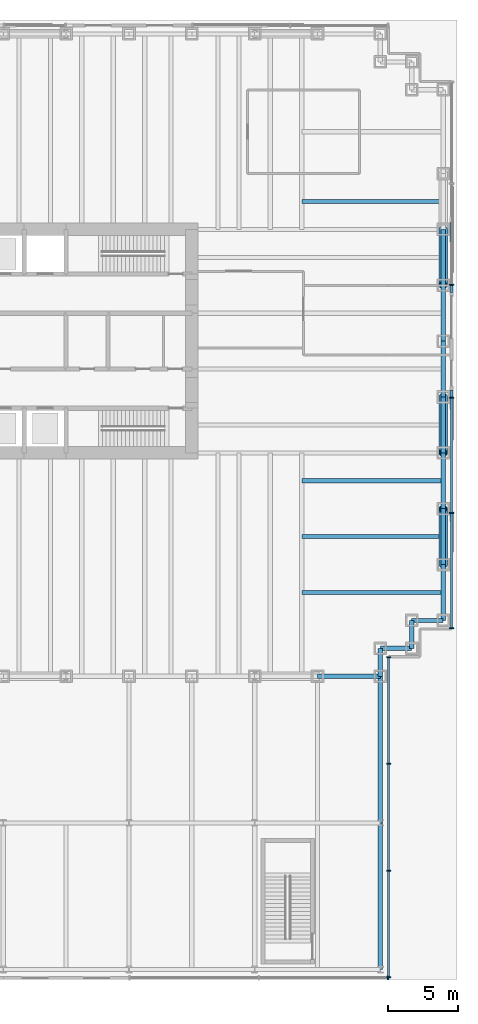
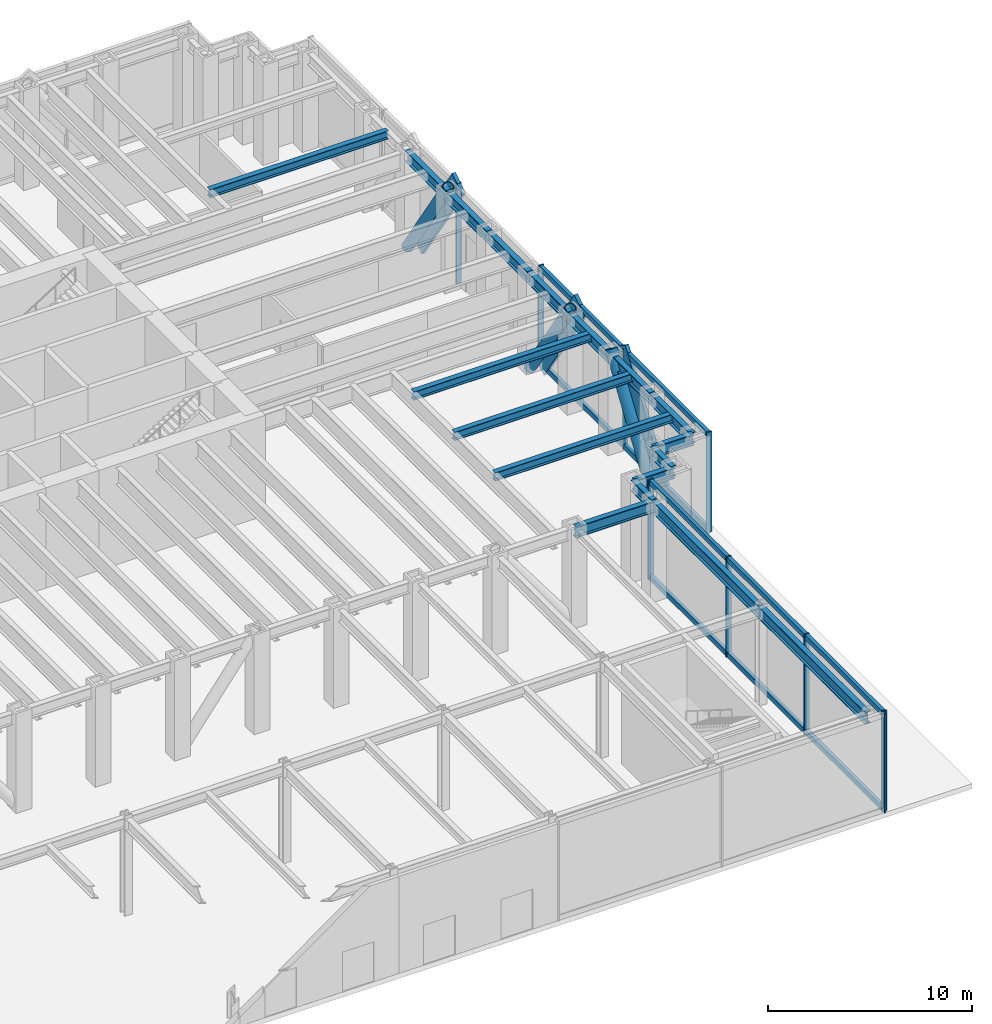
# One storey, part 6 of 17: 25 members, 18 beams, 4 elements without a shape of their own.
"""IFC4 building model written with IfcOpenShell, lengths in metres."""

import ifcopenshell
import ifcopenshell.guid

model = None  # the IFC model being written
_history = None  # IfcOwnerHistory: only IFC2X3 demands one
_inside = {}  # id of a spatial element -> (the spatial element, [elements in it])
_under = {}  # id of a project, library or spatial element -> (it, [spatial elements below it])
_declared = {}  # id of a project -> (the project, [libraries it declares])
_typed = {}  # id of a type object -> (the type object, [elements of that type])
_made_of = {}  # id of a material, layer set ... -> (it, [elements and type objects made of it])


def new_model(schema):
    """Start an empty IFC model of exactly this schema.

    Asked for "IFC4X3", IfcOpenShell would pick the latest addendum, in which some entities
    have other attributes; the version numbers below select the first issue.
    IFC2X3 requires an IfcOwnerHistory on every rooted entity: one is made here for all.
    """
    global model, _history
    if schema == "IFC4X3":
        model = ifcopenshell.file(schema_version=(4, 3, 0, 0))
    else:
        model = ifcopenshell.file(schema=schema)
    _inside.clear()
    _under.clear()
    _declared.clear()
    _typed.clear()
    _made_of.clear()
    _history = None
    if model.schema == "IFC2X3":
        org = make("IfcOrganization", Name="unknown")
        user = make(
            "IfcPersonAndOrganization",
            ThePerson=make("IfcPerson", FamilyName="unknown"),
            TheOrganization=org,
        )
        app = make(
            "IfcApplication",
            ApplicationDeveloper=org,
            Version="unknown",
            ApplicationFullName="unknown",
            ApplicationIdentifier="unknown",
        )
        _history = make(
            "IfcOwnerHistory",
            OwningUser=user,
            OwningApplication=app,
            ChangeAction="ADDED",
            CreationDate=0,
        )
    return model


def make(cls, **values):
    """One entity of the class cls with the attributes given. An attribute that is None is left unset."""
    return model.create_entity(
        cls, **{name: value for name, value in values.items() if value is not None}
    )


def rooted(cls, **values):
    """An entity with a GlobalId (a new one), such as an element, a storey or a relation."""
    return make(cls, GlobalId=ifcopenshell.guid.new(), OwnerHistory=_history, **values)


def si_unit(unit_type, name, prefix=None):
    """IfcSIUnit, for example si_unit("LENGTHUNIT", "METRE", prefix="MILLI")."""
    return make("IfcSIUnit", UnitType=unit_type, Prefix=prefix, Name=name)


def assignment(units):
    """IfcUnitAssignment: the units of a project."""
    return None if units is None else make("IfcUnitAssignment", Units=units)


def point(xyz):
    """IfcCartesianPoint."""
    return None if xyz is None else make("IfcCartesianPoint", Coordinates=xyz)


def direction(xyz):
    """IfcDirection."""
    return None if xyz is None else make("IfcDirection", DirectionRatios=xyz)


def frame(location, z_axis=None, x_axis=None):
    """IfcAxis2Placement3D, a coordinate frame: its origin and axes. An axis left out is left unset."""
    return make(
        "IfcAxis2Placement3D",
        Location=point(location),
        Axis=direction(z_axis),
        RefDirection=direction(x_axis),
    )


def frame_2d(location, x_axis=None):
    """IfcAxis2Placement2D, a coordinate frame in the plane: its origin and x axis."""
    return make(
        "IfcAxis2Placement2D", Location=point(location), RefDirection=direction(x_axis)
    )


def origin():
    """The frame at (0, 0, 0) with its axes left unset."""
    return frame((0.0, 0.0, 0.0))


def origin_2d():
    """The frame at (0, 0) in the plane with its x axis left unset."""
    return frame_2d((0.0, 0.0))


def place(relative_to, where):
    """IfcLocalPlacement: puts the frame where relative to a parent placement (None: the world)."""
    return make(
        "IfcLocalPlacement", PlacementRelTo=relative_to, RelativePlacement=where
    )


def context(
    kind, dimensions, precision=None, world=None, true_north=None, identifier=None
):
    """IfcGeometricRepresentationContext, for example the 3D "Model" context."""
    return make(
        "IfcGeometricRepresentationContext",
        ContextIdentifier=identifier,
        ContextType=kind,
        CoordinateSpaceDimension=dimensions,
        Precision=precision,
        WorldCoordinateSystem=world,
        TrueNorth=true_north,
    )


def subcontext(parent, identifier, kind, view, scale=None):
    """IfcGeometricRepresentationSubContext, for example "Body" below "Model"."""
    return make(
        "IfcGeometricRepresentationSubContext",
        ContextIdentifier=identifier,
        ContextType=kind,
        ParentContext=parent,
        TargetScale=scale,
        TargetView=view,
    )


def project(units=None, contexts=None):
    """IfcProject with its units and contexts."""
    return rooted(
        "IfcProject",
        Name="project",
        RepresentationContexts=contexts,
        UnitsInContext=assignment(units),
    )


def spatial(cls, under=None, at=None, **own):
    """A site, building, storey or space (cls), placed at a placement, below another one or the project."""
    s = rooted(cls, ObjectPlacement=at, **own)
    if under is not None:
        _under.setdefault(under.id(), (under, []))[1].append(s)
    return s


def profile(cls, at=None, kind="AREA", **sizes):
    """A parametric profile (cls). Its sizes go by their IFC names, for example OverallWidth=200.0."""
    return make(cls, ProfileType=kind, Position=at, **sizes)


def rectangle(**sizes):
    """IfcRectangleProfileDef."""
    return profile("IfcRectangleProfileDef", **sizes)


def hollow_circle(**sizes):
    """IfcCircleHollowProfileDef."""
    return profile("IfcCircleHollowProfileDef", **sizes)


def i_section(**sizes):
    """IfcIShapeProfileDef."""
    return profile("IfcIShapeProfileDef", **sizes)


def extrude(swept, where, along, depth):
    """IfcExtrudedAreaSolid: the profile swept, set in the frame where, extruded along a direction by depth."""
    return make(
        "IfcExtrudedAreaSolid",
        SweptArea=swept,
        Position=where,
        ExtrudedDirection=direction(along),
        Depth=depth,
    )


def shape(context_of_items, identifier, shape_type, items):
    """IfcShapeRepresentation: the items that make up one representation, for example the "Body"."""
    return make(
        "IfcShapeRepresentation",
        ContextOfItems=context_of_items,
        RepresentationIdentifier=identifier,
        RepresentationType=shape_type,
        Items=items,
    )


def material(Name=None, Category=None):
    """IfcMaterial."""
    return make("IfcMaterial", Name=Name, Category=Category)


def material_profile(
    of_material, cross_section, Name=None, Category=None, Priority=None
):
    """IfcMaterialProfile: a cross section and its material."""
    return make(
        "IfcMaterialProfile",
        Name=Name,
        Material=of_material,
        Profile=cross_section,
        Priority=Priority,
        Category=Category,
    )


def profile_set(profiles, Name=None, composite=None):
    """IfcMaterialProfileSet."""
    return make(
        "IfcMaterialProfileSet",
        Name=Name,
        MaterialProfiles=profiles,
        CompositeProfile=composite,
    )


def made_of(thing, what):
    """Note that an element or type object is made of a material, layer set ...; save() writes the relation."""
    if what is not None:
        _made_of.setdefault(what.id(), (what, []))[1].append(thing)
    return thing


def type_object(cls, material=None, **own):
    """A type object (cls), such as IfcWallType, which elements share."""
    return made_of(rooted(cls, **own), material)


def element(
    cls,
    number,
    at=None,
    inside=None,
    cuts=None,
    type_object=None,
    material=None,
    context=None,
    identifier="Body",
    shape_type=None,
    held_by="IfcProductDefinitionShape",
    body=None,
    shapes=None,
    **own,
):
    """One element of the class cls, such as IfcWall. Its Tag is "e" and its number.

    at: its placement. inside: the storey or other place that contains it. cuts: it is an
    opening in that element (IfcRelVoidsElement). A single representation is given by context,
    identifier, shape_type and body (its items); several are given by shapes. held_by: the class
    of the entity that holds the representations. save() writes the other relations.
    """
    e = rooted(cls, Tag="e%d" % number, ObjectPlacement=at, **own)
    if body is not None:
        shapes = [shape(context, identifier, shape_type, body)]
    if shapes is not None:
        e.Representation = make(held_by, Representations=shapes)
    if inside is not None:
        _inside.setdefault(inside.id(), (inside, []))[1].append(e)
    if cuts is not None:
        rooted(
            "IfcRelVoidsElement", RelatingBuildingElement=cuts, RelatedOpeningElement=e
        )
    if type_object is not None:
        _typed.setdefault(type_object.id(), (type_object, []))[1].append(e)
    return made_of(e, material)


def aggregate(whole, parts):
    """IfcRelAggregates: a whole, such as a stair, and the parts it consists of."""
    return rooted("IfcRelAggregates", RelatingObject=whole, RelatedObjects=parts)


def save(model, path):
    """Write the relations noted so far, then the file.

    IfcRelAggregates (storeys below a building ...), IfcRelContainedInSpatialStructure (elements
    in a storey), IfcRelDefinesByType, IfcRelAssociatesMaterial and IfcRelDeclares: one each for
    every whole, place, type object, material and project.
    """
    for whole, parts in _under.values():
        aggregate(whole, parts)
    for where, things in _inside.values():
        rooted(
            "IfcRelContainedInSpatialStructure",
            RelatedElements=things,
            RelatingStructure=where,
        )
    for kind, things in _typed.values():
        rooted("IfcRelDefinesByType", RelatedObjects=things, RelatingType=kind)
    for what, things in _made_of.values():
        rooted("IfcRelAssociatesMaterial", RelatedObjects=things, RelatingMaterial=what)
    for by, libraries in _declared.values():
        rooted("IfcRelDeclares", RelatingContext=by, RelatedDefinitions=libraries)
    model.write(path)


model = new_model("IFC4")

# Units and contexts
model_context = context("Model", 3, precision=1e-05, world=origin(), true_north=direction((0.0, 1.0)))
body_context = subcontext(model_context, "Body", "Model", "MODEL_VIEW")
ifc_project = project(units=[si_unit("LENGTHUNIT", "METRE"), si_unit("AREAUNIT", "SQUARE_METRE"), si_unit("VOLUMEUNIT", "CUBIC_METRE"), si_unit("PLANEANGLEUNIT", "RADIAN"), si_unit("MASSUNIT", "GRAM", prefix="KILO")], contexts=[model_context])

# Site, building, storey
site_placement = place(None, origin())
site = spatial("IfcSite", under=ifc_project, at=site_placement, CompositionType="ELEMENT")
building_placement = place(site_placement, origin())
building = spatial("IfcBuilding", under=site, at=building_placement, Name="Rheinbord Bourse Tower", CompositionType="ELEMENT")
storey_placement = place(building_placement, origin())
storey = spatial("IfcBuildingStorey", under=building, at=storey_placement, Name="L00", CompositionType="ELEMENT", Elevation=0.0)

# Curtain wall, members
ifc_material_1 = material(Name="Dark glass and black aluminium", Category="aluminium")
curtain_wall_type = type_object("IfcCurtainWallType", Name="CW4 DARK GLASS CURTAIN WALL", PredefinedType="USERDEFINED", material=ifc_material_1)
curtain_wall_1_placement = place(storey_placement, origin())
curtain_wall_1 = element("IfcCurtainWall", 1, at=curtain_wall_1_placement, inside=storey, type_object=curtain_wall_type, Name="Curtain wall CW4 E L00", ObjectType="UNITISED CURTAIN WALL", PredefinedType="USERDEFINED")
ifc_material_2 = material(Name="Black anodised aluminium", Category="aluminium")
ifc_material_profile_1 = material_profile(ifc_material_2, rectangle(XDim=0.199951171875, YDim=1.2099609375, at=origin_2d()), Name="CW4 DIAGONAL MULLION 1210x200")
ifc_profile_set_1 = profile_set([ifc_material_profile_1], Name="Black anodised aluminium")
member_type_1 = type_object("IfcMemberType", Name="CW4 BLACK DIAGONAL MULLION", PredefinedType="USERDEFINED", material=ifc_profile_set_1)
member_1_placement = place(storey_placement, frame((72.60009765625, 8.0, 0.0), z_axis=(0.0, 0.554700196225, 0.832050294338), x_axis=(-1.0, 0.0, 0.0)))
member_1 = element("IfcMember", 2, at=member_1_placement, type_object=member_type_1, Name="CW4 diagonal mullion a", ObjectType="DIAGONAL MULLION", PredefinedType="USERDEFINED", context=body_context, shape_type="SweptSolid", body=[
    extrude(rectangle(XDim=0.199951171875, YDim=1.2099609375, at=origin_2d()), origin(), (0.0, 0.0, 1.0), 7.211181640625),
])
member_2_placement = place(storey_placement, frame((72.60009765625, 20.0, 0.0), z_axis=(0.0, -0.554700196225, 0.832050294338), x_axis=(1.0, 0.0, 0.0)))
member_2 = element("IfcMember", 3, at=member_2_placement, type_object=member_type_1, Name="CW4 diagonal mullion d", ObjectType="DIAGONAL MULLION", PredefinedType="USERDEFINED", context=body_context, shape_type="SweptSolid", body=[
    extrude(rectangle(XDim=0.199951171875, YDim=1.2099609375, at=origin_2d()), origin(), (0.0, 0.0, 1.0), 7.211181640625),
])

# Curtain wall, member
curtain_wall_2_placement = place(storey_placement, origin())
curtain_wall_2 = element("IfcCurtainWall", 4, at=curtain_wall_2_placement, inside=storey, type_object=curtain_wall_type, Name="Curtain wall CW4 E L00", ObjectType="UNITISED CURTAIN WALL", PredefinedType="USERDEFINED")
member_3_placement = place(storey_placement, frame((72.60009765625, 32.0, 0.0), z_axis=(0.0, -0.554700196225, 0.832050294338), x_axis=(1.0, 0.0, 0.0)))
member_3 = element("IfcMember", 5, at=member_3_placement, type_object=member_type_1, Name="CW4 diagonal mullion c", ObjectType="DIAGONAL MULLION", PredefinedType="USERDEFINED", context=body_context, shape_type="SweptSolid", body=[
    extrude(rectangle(XDim=0.199951171875, YDim=1.2099609375, at=origin_2d()), origin(), (0.0, 0.0, 1.0), 7.211181640625),
])

curtain_wall_3_placement = place(storey_placement, origin())
curtain_wall_3 = element("IfcCurtainWall", 6, at=curtain_wall_3_placement, inside=storey, type_object=curtain_wall_type, Name="Curtain wall CW4 S L00", ObjectType="UNITISED CURTAIN WALL", PredefinedType="USERDEFINED")
ifc_material_3 = material(Name="Black anodised aluminium", Category="aluminium")
ifc_material_profile_2 = material_profile(ifc_material_3, rectangle(XDim=0.300048828125, YDim=0.090087890625, at=origin_2d()), Name="CW4 MULLION 90x300")
ifc_profile_set_2 = profile_set([ifc_material_profile_2], Name="Black anodised aluminium")
member_type_2 = type_object("IfcMemberType", Name="CW4 BLACK MULLION", PredefinedType="MULLION", material=ifc_profile_set_2)
member_4_placement = place(storey_placement, frame((68.054931640625, -21.60009765625, 0.0), z_axis=(0.0, 0.0, 1.0), x_axis=(0.0, 1.0, 0.0)))
member_4 = element("IfcMember", 7, at=member_4_placement, type_object=member_type_2, Name="CW4 mullion 3", PredefinedType="MULLION", context=body_context, shape_type="SweptSolid", body=[
    extrude(rectangle(XDim=0.300048828125, YDim=0.090087890625, at=origin_2d()), origin(), (0.0, 0.0, 1.0), 6.0),
])
aggregate(curtain_wall_3, [member_4])

# Curtain wall, members
curtain_wall_4_placement = place(storey_placement, origin())
curtain_wall_4 = element("IfcCurtainWall", 8, at=curtain_wall_4_placement, inside=storey, type_object=curtain_wall_type, Name="Curtain wall CW4 E L00", ObjectType="UNITISED CURTAIN WALL", PredefinedType="USERDEFINED")
member_5_placement = place(storey_placement, frame((68.10009765625, -21.554931640625, 0.0), z_axis=(0.0, 0.0, 1.0), x_axis=(-1.0, 0.0, 0.0)))
member_5 = element("IfcMember", 9, at=member_5_placement, type_object=member_type_2, Name="CW4 mullion 1", PredefinedType="MULLION", context=body_context, shape_type="SweptSolid", body=[
    extrude(rectangle(XDim=0.300048828125, YDim=0.090087890625, at=origin_2d()), origin(), (0.0, 0.0, 1.0), 6.0),
])
member_6_placement = place(storey_placement, frame((68.10009765625, -13.933349609375, 0.0), z_axis=(0.0, 0.0, 1.0), x_axis=(-1.0, 0.0, 0.0)))
member_6 = element("IfcMember", 10, at=member_6_placement, type_object=member_type_2, Name="CW4 mullion 2", PredefinedType="MULLION", context=body_context, shape_type="SweptSolid", body=[
    extrude(rectangle(XDim=0.300048828125, YDim=0.090087890625, at=origin_2d()), origin(), (0.0, 0.0, 1.0), 6.0),
])
member_7_placement = place(storey_placement, frame((68.10009765625, -6.2666015625, 0.0), z_axis=(0.0, 0.0, 1.0), x_axis=(-1.0, 0.0, 0.0)))
member_7 = element("IfcMember", 11, at=member_7_placement, type_object=member_type_2, Name="CW4 mullion 3", PredefinedType="MULLION", context=body_context, shape_type="SweptSolid", body=[
    extrude(rectangle(XDim=0.300048828125, YDim=0.090087890625, at=origin_2d()), origin(), (0.0, 0.0, 1.0), 6.0),
])
member_8_placement = place(storey_placement, frame((68.10009765625, 1.35498046875, 0.0), z_axis=(0.0, 0.0, 1.0), x_axis=(-1.0, 0.0, 0.0)))
member_8 = element("IfcMember", 12, at=member_8_placement, type_object=member_type_2, Name="CW4 mullion 4", PredefinedType="MULLION", context=body_context, shape_type="SweptSolid", body=[
    extrude(rectangle(XDim=0.300048828125, YDim=0.090087890625, at=origin_2d()), origin(), (0.0, 0.0, 1.0), 6.0),
])

# Member
member_9_placement = place(storey_placement, frame((72.60009765625, 3.445068359375, 0.0), z_axis=(0.0, 0.0, 1.0), x_axis=(-1.0, 0.0, 0.0)))
member_9 = element("IfcMember", 13, at=member_9_placement, type_object=member_type_2, Name="CW4 mullion 1", PredefinedType="MULLION", context=body_context, shape_type="SweptSolid", body=[
    extrude(rectangle(XDim=0.300048828125, YDim=0.090087890625, at=origin_2d()), origin(), (0.0, 0.0, 1.0), 6.0),
])

member_10_placement = place(storey_placement, frame((72.60009765625, 11.699951171875, 0.0), z_axis=(0.0, 0.0, 1.0), x_axis=(-1.0, 0.0, 0.0)))
member_10 = element("IfcMember", 14, at=member_10_placement, type_object=member_type_2, Name="CW4 mullion 2", PredefinedType="MULLION", context=body_context, shape_type="SweptSolid", body=[
    extrude(rectangle(XDim=0.300048828125, YDim=0.090087890625, at=origin_2d()), origin(), (0.0, 0.0, 1.0), 6.0),
])

member_11_placement = place(storey_placement, frame((72.60009765625, 19.955078125, 0.0), z_axis=(0.0, 0.0, 1.0), x_axis=(-1.0, 0.0, 0.0)))
member_11 = element("IfcMember", 15, at=member_11_placement, type_object=member_type_2, Name="CW4 mullion 3", PredefinedType="MULLION", context=body_context, shape_type="SweptSolid", body=[
    extrude(rectangle(XDim=0.300048828125, YDim=0.090087890625, at=origin_2d()), origin(), (0.0, 0.0, 1.0), 6.0),
])

member_12_placement = place(storey_placement, frame((72.60009765625, 28.044921875, 0.0), z_axis=(0.0, 0.0, 1.0), x_axis=(-1.0, 0.0, 0.0)))
member_12 = element("IfcMember", 16, at=member_12_placement, type_object=member_type_2, Name="CW4 mullion 1", PredefinedType="MULLION", context=body_context, shape_type="SweptSolid", body=[
    extrude(rectangle(XDim=0.300048828125, YDim=0.090087890625, at=origin_2d()), origin(), (0.0, 0.0, 1.0), 6.0),
])

aggregate(curtain_wall_2, [member_12, member_3])

ifc_material_4 = material(Name="Black anodised aluminium", Category="aluminium")
ifc_material_profile_3 = material_profile(ifc_material_4, rectangle(XDim=0.199951171875, YDim=0.300048828125, at=origin_2d()), Name="CW4 TRANSOM 300x200")
ifc_profile_set_3 = profile_set([ifc_material_profile_3], Name="Black anodised aluminium")
member_type_3 = type_object("IfcMemberType", Name="CW4 BLACK TRANSOM", PredefinedType="USERDEFINED", material=ifc_profile_set_3)
member_13_placement = place(storey_placement, frame((68.10009765625, -21.510009765625, 0.14990234375), z_axis=(0.0, 1.0, 0.0), x_axis=(-1.0, 0.0, 0.0)))
member_13 = element("IfcMember", 17, at=member_13_placement, type_object=member_type_3, Name="CW4 transom 1.1", ObjectType="TRANSOM", PredefinedType="USERDEFINED", context=body_context, shape_type="SweptSolid", body=[
    extrude(rectangle(XDim=0.199951171875, YDim=0.300048828125, at=origin_2d()), origin(), (0.0, 0.0, 1.0), 7.53173828125),
])

member_14_placement = place(storey_placement, frame((68.10009765625, -21.510009765625, 5.85009765625), z_axis=(0.0, 1.0, 0.0), x_axis=(-1.0, 0.0, 0.0)))
member_14 = element("IfcMember", 18, at=member_14_placement, type_object=member_type_3, Name="CW4 transom 1.2", ObjectType="TRANSOM", PredefinedType="USERDEFINED", context=body_context, shape_type="SweptSolid", body=[
    extrude(rectangle(XDim=0.199951171875, YDim=0.300048828125, at=origin_2d()), origin(), (0.0, 0.0, 1.0), 7.53173828125),
])

member_15_placement = place(storey_placement, frame((68.10009765625, -13.888427734375, 0.14990234375), z_axis=(0.0, 1.0, 0.0), x_axis=(-1.0, 0.0, 0.0)))
member_15 = element("IfcMember", 19, at=member_15_placement, type_object=member_type_3, Name="CW4 transom 2.1", ObjectType="TRANSOM", PredefinedType="USERDEFINED", context=body_context, shape_type="SweptSolid", body=[
    extrude(rectangle(XDim=0.199951171875, YDim=0.300048828125, at=origin_2d()), origin(), (0.0, 0.0, 1.0), 7.57666015625),
])

member_16_placement = place(storey_placement, frame((68.10009765625, -13.888427734375, 5.85009765625), z_axis=(0.0, 1.0, 0.0), x_axis=(-1.0, 0.0, 0.0)))
member_16 = element("IfcMember", 20, at=member_16_placement, type_object=member_type_3, Name="CW4 transom 2.2", ObjectType="TRANSOM", PredefinedType="USERDEFINED", context=body_context, shape_type="SweptSolid", body=[
    extrude(rectangle(XDim=0.199951171875, YDim=0.300048828125, at=origin_2d()), origin(), (0.0, 0.0, 1.0), 7.57666015625),
])

member_17_placement = place(storey_placement, frame((68.10009765625, -6.2216796875, 0.14990234375), z_axis=(0.0, 1.0, 0.0), x_axis=(-1.0, 0.0, 0.0)))
member_17 = element("IfcMember", 21, at=member_17_placement, type_object=member_type_3, Name="CW4 transom 3.1", ObjectType="TRANSOM", PredefinedType="USERDEFINED", context=body_context, shape_type="SweptSolid", body=[
    extrude(rectangle(XDim=0.199951171875, YDim=0.300048828125, at=origin_2d()), origin(), (0.0, 0.0, 1.0), 7.53173828125),
])

member_18_placement = place(storey_placement, frame((68.10009765625, -6.2216796875, 5.85009765625), z_axis=(0.0, 1.0, 0.0), x_axis=(-1.0, 0.0, 0.0)))
member_18 = element("IfcMember", 22, at=member_18_placement, type_object=member_type_3, Name="CW4 transom 3.2", ObjectType="TRANSOM", PredefinedType="USERDEFINED", context=body_context, shape_type="SweptSolid", body=[
    extrude(rectangle(XDim=0.199951171875, YDim=0.300048828125, at=origin_2d()), origin(), (0.0, 0.0, 1.0), 7.53173828125),
])

aggregate(curtain_wall_4, [member_5, member_6, member_7, member_8, member_13, member_14, member_15, member_16, member_17, member_18])

member_19_placement = place(storey_placement, frame((72.60009765625, 3.489990234375, 0.14990234375), z_axis=(0.0, 1.0, 0.0), x_axis=(-1.0, 0.0, 0.0)))
member_19 = element("IfcMember", 23, at=member_19_placement, type_object=member_type_3, Name="CW4 transom 1.1", ObjectType="TRANSOM", PredefinedType="USERDEFINED", context=body_context, shape_type="SweptSolid", body=[
    extrude(rectangle(XDim=0.199951171875, YDim=0.300048828125, at=origin_2d()), origin(), (0.0, 0.0, 1.0), 8.1650390625),
])

member_20_placement = place(storey_placement, frame((72.60009765625, 3.489990234375, 5.85009765625), z_axis=(0.0, 1.0, 0.0), x_axis=(-1.0, 0.0, 0.0)))
member_20 = element("IfcMember", 24, at=member_20_placement, type_object=member_type_3, Name="CW4 transom 1.2", ObjectType="TRANSOM", PredefinedType="USERDEFINED", context=body_context, shape_type="SweptSolid", body=[
    extrude(rectangle(XDim=0.199951171875, YDim=0.300048828125, at=origin_2d()), origin(), (0.0, 0.0, 1.0), 8.1650390625),
])

member_21_placement = place(storey_placement, frame((72.60009765625, 11.7451171875, 0.14990234375), z_axis=(0.0, 1.0, 0.0), x_axis=(-1.0, 0.0, 0.0)))
member_21 = element("IfcMember", 25, at=member_21_placement, type_object=member_type_3, Name="CW4 transom 2.1", ObjectType="TRANSOM", PredefinedType="USERDEFINED", context=body_context, shape_type="SweptSolid", body=[
    extrude(rectangle(XDim=0.199951171875, YDim=0.300048828125, at=origin_2d()), origin(), (0.0, 0.0, 1.0), 8.164794921875),
])

member_22_placement = place(storey_placement, frame((72.60009765625, 11.7451171875, 5.85009765625), z_axis=(0.0, 1.0, 0.0), x_axis=(-1.0, 0.0, 0.0)))
member_22 = element("IfcMember", 26, at=member_22_placement, type_object=member_type_3, Name="CW4 transom 2.2", ObjectType="TRANSOM", PredefinedType="USERDEFINED", context=body_context, shape_type="SweptSolid", body=[
    extrude(rectangle(XDim=0.199951171875, YDim=0.300048828125, at=origin_2d()), origin(), (0.0, 0.0, 1.0), 8.164794921875),
])

aggregate(curtain_wall_1, [member_9, member_10, member_11, member_19, member_20, member_21, member_22, member_1, member_2])

# Members
ifc_material_5 = material(Name="Steel S460", Category="steel")
ifc_material_profile_4 = material_profile(ifc_material_5, hollow_circle(Radius=0.304931640625, WallThickness=0.050048828125, at=origin_2d()), Name="CHS 610x50")
ifc_profile_set_4 = profile_set([ifc_material_profile_4], Name="Steel S460")
member_type_4 = type_object("IfcMemberType", Name="MEGABRACE CHS 610x50", PredefinedType="BRACE", material=ifc_profile_set_4)
for number, where, z_axis, x_axis, name in (
    (27, (72.0, 8.0, 0.0), (0.0, 0.554700196225, 0.832050294338), (-1.0, 0.0, 0.0), "Megabrace E face line a L00"),
    (28, (72.0, 32.0, 0.0), (0.0, -0.554700196225, 0.832050294338), (1.0, 0.0, 0.0), "Megabrace E face line c L00"),
    (29, (72.0, 20.0, 0.0), (0.0, -0.554700196225, 0.832050294338), (1.0, 0.0, 0.0), "Megabrace E face line d L00"),
):
    element("IfcMember", number, at=place(storey_placement, frame(where, z_axis=z_axis, x_axis=x_axis)), inside=storey, type_object=member_type_4, Name=name, PredefinedType="BRACE", context=body_context, shape_type="SweptSolid", body=[
        extrude(hollow_circle(Radius=0.304931640625, WallThickness=0.050048828125, at=origin_2d()), origin(), (0.0, 0.0, 1.0), 7.211181640625),
    ])

# Beams
ifc_material_6 = material(Name="Steel S460", Category="steel")
ifc_material_profile_5 = material_profile(ifc_material_6, i_section(OverallWidth=0.303955078125, OverallDepth=0.716064453125, WebThickness=0.02099609375, FlangeThickness=0.0400390625, at=origin_2d()), Name="HEM 700")
ifc_profile_set_5 = profile_set([ifc_material_profile_5], Name="Steel S460")
beam_type_1 = type_object("IfcBeamType", Name="PODIUM GIRDER HEM 700", PredefinedType="BEAM", material=ifc_profile_set_5)
for number, where, z_axis, x_axis, name in (
    (30, (67.5, -21.0, 5.4619140625), (0.0, 1.0, 0.0), (-1.0, 0.0, 0.0), "Podium girder 67.5 L01"),
    (31, (67.5, -10.5, 5.4619140625), (0.0, 1.0, 0.0), (-1.0, 0.0, 0.0), "Podium girder 67.5 L01"),
):
    element("IfcBeam", number, at=place(storey_placement, frame(where, z_axis=z_axis, x_axis=x_axis)), inside=storey, type_object=beam_type_1, Name=name, PredefinedType="BEAM", context=body_context, shape_type="SweptSolid", body=[
        extrude(i_section(OverallWidth=0.303955078125, OverallDepth=0.716064453125, WebThickness=0.02099609375, FlangeThickness=0.0400390625, at=origin_2d()), origin(), (0.0, 0.0, 1.0), 10.5),
    ])
ifc_material_7 = material(Name="Steel S460", Category="steel")
ifc_material_profile_6 = material_profile(ifc_material_7, i_section(OverallWidth=0.304931640625, OverallDepth=0.66796875, WebThickness=0.02099609375, FlangeThickness=0.0400390625, at=origin_2d()), Name="HEM 650")
ifc_profile_set_6 = profile_set([ifc_material_profile_6], Name="Steel S460")
beam_type_2 = type_object("IfcBeamType", Name="SPANDREL HEM 650", PredefinedType="SPANDREL", material=ifc_profile_set_6)
beam_1_placement = place(storey_placement, frame((63.0, 0.0, 5.486083984375), z_axis=(1.0, 0.0, 0.0), x_axis=(0.0, 1.0, 0.0)))
element("IfcBeam", 32, at=beam_1_placement, inside=storey, type_object=beam_type_2, Name="Spandrel S-63-SE-E under L01", PredefinedType="SPANDREL", context=body_context, shape_type="SweptSolid", body=[
    extrude(i_section(OverallWidth=0.304931640625, OverallDepth=0.66796875, WebThickness=0.02099609375, FlangeThickness=0.0400390625, at=origin_2d()), origin(), (0.0, 0.0, 1.0), 4.5),
])
beam_2_placement = place(storey_placement, frame((67.5, 0.0, 5.486083984375), z_axis=(0.0, 1.0, 0.0), x_axis=(-1.0, 0.0, 0.0)))
element("IfcBeam", 33, at=beam_2_placement, inside=storey, type_object=beam_type_2, Name="Spandrel SE-E-SE-D under L01", PredefinedType="SPANDREL", context=body_context, shape_type="SweptSolid", body=[
    extrude(i_section(OverallWidth=0.304931640625, OverallDepth=0.66796875, WebThickness=0.02099609375, FlangeThickness=0.0400390625, at=origin_2d()), origin(), (0.0, 0.0, 1.0), 2.0),
])
beam_3_placement = place(storey_placement, frame((67.5, 2.0, 5.486083984375), z_axis=(1.0, 0.0, 0.0), x_axis=(0.0, 1.0, 0.0)))
element("IfcBeam", 34, at=beam_3_placement, inside=storey, type_object=beam_type_2, Name="Spandrel SE-D-SE-C under L01", PredefinedType="SPANDREL", context=body_context, shape_type="SweptSolid", body=[
    extrude(i_section(OverallWidth=0.304931640625, OverallDepth=0.66796875, WebThickness=0.02099609375, FlangeThickness=0.0400390625, at=origin_2d()), origin(), (0.0, 0.0, 1.0), 2.25),
])
beam_4_placement = place(storey_placement, frame((69.75, 2.0, 5.486083984375), z_axis=(0.0, 1.0, 0.0), x_axis=(-1.0, 0.0, 0.0)))
element("IfcBeam", 35, at=beam_4_placement, inside=storey, type_object=beam_type_2, Name="Spandrel SE-C-SE-B under L01", PredefinedType="SPANDREL", context=body_context, shape_type="SweptSolid", body=[
    extrude(i_section(OverallWidth=0.304931640625, OverallDepth=0.66796875, WebThickness=0.02099609375, FlangeThickness=0.0400390625, at=origin_2d()), origin(), (0.0, 0.0, 1.0), 2.0),
])
beam_5_placement = place(storey_placement, frame((69.75, 4.0, 5.486083984375), z_axis=(1.0, 0.0, 0.0), x_axis=(0.0, 1.0, 0.0)))
element("IfcBeam", 36, at=beam_5_placement, inside=storey, type_object=beam_type_2, Name="Spandrel SE-B-SE-A under L01", PredefinedType="SPANDREL", context=body_context, shape_type="SweptSolid", body=[
    extrude(i_section(OverallWidth=0.304931640625, OverallDepth=0.66796875, WebThickness=0.02099609375, FlangeThickness=0.0400390625, at=origin_2d()), origin(), (0.0, 0.0, 1.0), 2.25),
])
for number, where, z_axis, x_axis, name in (
    (37, (72.0, 4.0, 5.486083984375), (0.0, 1.0, 0.0), (-1.0, 0.0, 0.0), "Spandrel SE-A-E-8 under L01"),
    (38, (72.0, 8.0, 5.486083984375), (0.0, 1.0, 0.0), (-1.0, 0.0, 0.0), "Spandrel E-8-E-12 under L01"),
    (39, (72.0, 12.0, 5.486083984375), (0.0, 1.0, 0.0), (-1.0, 0.0, 0.0), "Spandrel E-12-E-16 under L01"),
    (40, (72.0, 16.0, 5.486083984375), (0.0, 1.0, 0.0), (-1.0, 0.0, 0.0), "Spandrel E-16-E-20 under L01"),
    (41, (72.0, 20.0, 5.486083984375), (0.0, 1.0, 0.0), (-1.0, 0.0, 0.0), "Spandrel E-20-E-24 under L01"),
    (42, (72.0, 24.0, 5.486083984375), (0.0, 1.0, 0.0), (-1.0, 0.0, 0.0), "Spandrel E-24-E-28 under L01"),
    (43, (72.0, 28.0, 5.486083984375), (0.0, 1.0, 0.0), (-1.0, 0.0, 0.0), "Spandrel E-28-E-32 under L01"),
):
    element("IfcBeam", number, at=place(storey_placement, frame(where, z_axis=z_axis, x_axis=x_axis)), inside=storey, type_object=beam_type_2, Name=name, PredefinedType="SPANDREL", context=body_context, shape_type="SweptSolid", body=[
        extrude(i_section(OverallWidth=0.304931640625, OverallDepth=0.66796875, WebThickness=0.02099609375, FlangeThickness=0.0400390625, at=origin_2d()), origin(), (0.0, 0.0, 1.0), 4.0),
    ])
ifc_material_8 = material(Name="Steel S460", Category="steel")
ifc_material_profile_7 = material_profile(ifc_material_8, i_section(OverallWidth=0.300048828125, OverallDepth=0.5, WebThickness=0.014404296875, FlangeThickness=0.028076171875, at=origin_2d()), Name="HEB 500")
ifc_profile_set_7 = profile_set([ifc_material_profile_7], Name="Steel S460")
beam_type_3 = type_object("IfcBeamType", Name="TIE BEAM HEB 500", PredefinedType="JOIST", material=ifc_profile_set_7)
for number, where, z_axis, x_axis, name in (
    (44, (61.875, 6.0, 5.570068359375), (1.0, 0.0, 0.0), (0.0, 1.0, 0.0), "Tie east 6 L01"),
    (45, (61.875, 10.0, 5.570068359375), (1.0, 0.0, 0.0), (0.0, 1.0, 0.0), "Tie east 10 L01"),
    (46, (61.875, 14.0, 5.570068359375), (1.0, 0.0, 0.0), (0.0, 1.0, 0.0), "Tie east 14 L01"),
    (47, (61.875, 34.0, 5.570068359375), (1.0, 0.0, 0.0), (0.0, 1.0, 0.0), "Tie east 34 L01"),
):
    element("IfcBeam", number, at=place(storey_placement, frame(where, z_axis=z_axis, x_axis=x_axis)), inside=storey, type_object=beam_type_3, Name=name, PredefinedType="JOIST", context=body_context, shape_type="SweptSolid", body=[
        extrude(i_section(OverallWidth=0.300048828125, OverallDepth=0.5, WebThickness=0.014404296875, FlangeThickness=0.028076171875, at=origin_2d()), origin(), (0.0, 0.0, 1.0), 10.125),
    ])

save(model, "model.ifc")
